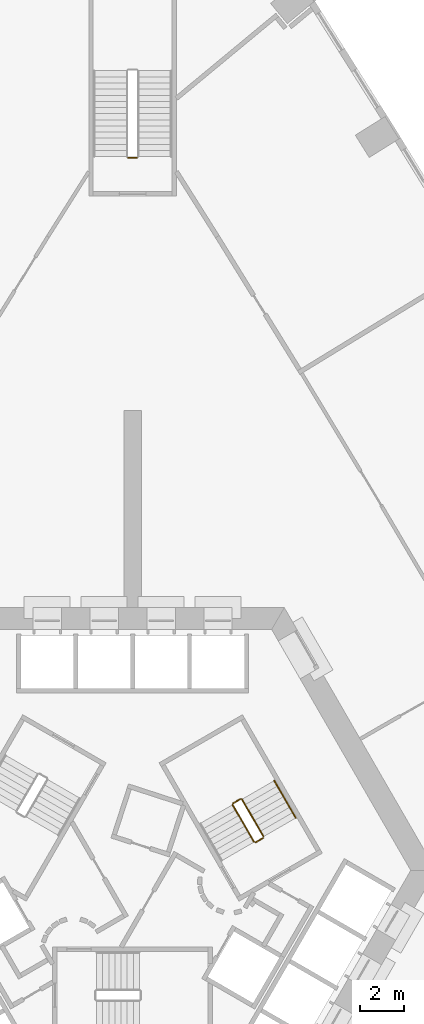
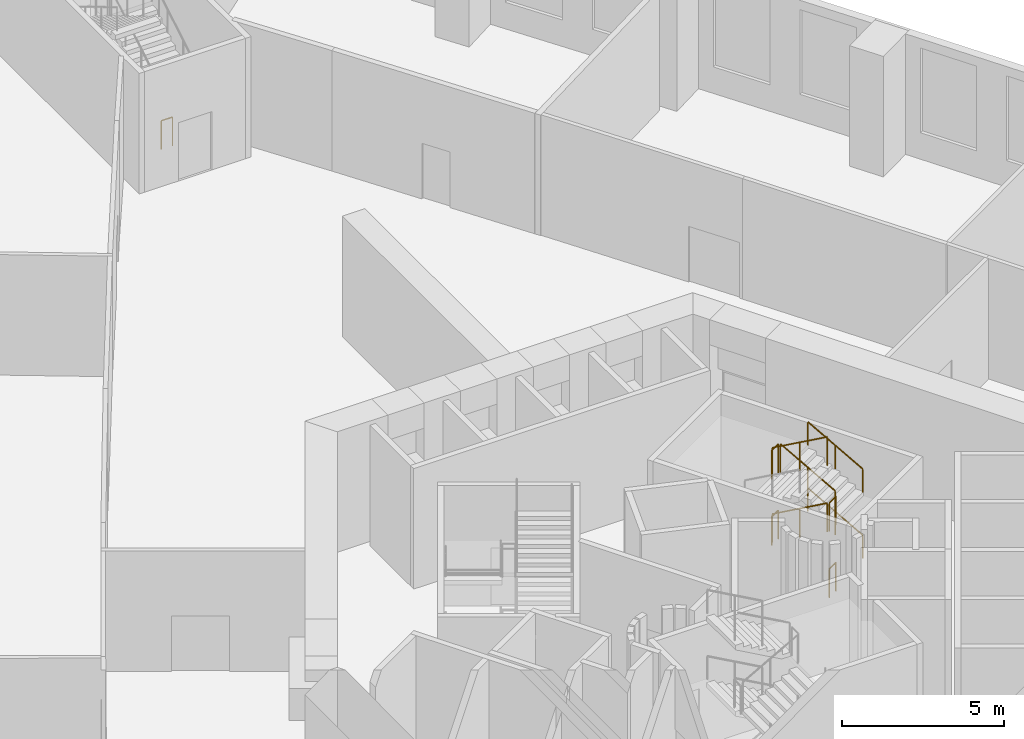
# One storey, part 14 of 16: 10 railings.
"""IFC4 building model written with IfcOpenShell, lengths in metres."""

import ifcopenshell
import ifcopenshell.guid

model = None  # the IFC model being written
_history = None  # IfcOwnerHistory: only IFC2X3 demands one
_inside = {}  # id of a spatial element -> (the spatial element, [elements in it])
_under = {}  # id of a project, library or spatial element -> (it, [spatial elements below it])
_declared = {}  # id of a project -> (the project, [libraries it declares])
_typed = {}  # id of a type object -> (the type object, [elements of that type])
_made_of = {}  # id of a material, layer set ... -> (it, [elements and type objects made of it])


def new_model(schema):
    """Start an empty IFC model of exactly this schema.

    Asked for "IFC4X3", IfcOpenShell would pick the latest addendum, in which some entities
    have other attributes; the version numbers below select the first issue.
    IFC2X3 requires an IfcOwnerHistory on every rooted entity: one is made here for all.
    """
    global model, _history
    if schema == "IFC4X3":
        model = ifcopenshell.file(schema_version=(4, 3, 0, 0))
    else:
        model = ifcopenshell.file(schema=schema)
    _inside.clear()
    _under.clear()
    _declared.clear()
    _typed.clear()
    _made_of.clear()
    _history = None
    if model.schema == "IFC2X3":
        org = make("IfcOrganization", Name="unknown")
        user = make(
            "IfcPersonAndOrganization",
            ThePerson=make("IfcPerson", FamilyName="unknown"),
            TheOrganization=org,
        )
        app = make(
            "IfcApplication",
            ApplicationDeveloper=org,
            Version="unknown",
            ApplicationFullName="unknown",
            ApplicationIdentifier="unknown",
        )
        _history = make(
            "IfcOwnerHistory",
            OwningUser=user,
            OwningApplication=app,
            ChangeAction="ADDED",
            CreationDate=0,
        )
    return model


def make(cls, **values):
    """One entity of the class cls with the attributes given. An attribute that is None is left unset."""
    return model.create_entity(
        cls, **{name: value for name, value in values.items() if value is not None}
    )


def rooted(cls, **values):
    """An entity with a GlobalId (a new one), such as an element, a storey or a relation."""
    return make(cls, GlobalId=ifcopenshell.guid.new(), OwnerHistory=_history, **values)


def si_unit(unit_type, name, prefix=None):
    """IfcSIUnit, for example si_unit("LENGTHUNIT", "METRE", prefix="MILLI")."""
    return make("IfcSIUnit", UnitType=unit_type, Prefix=prefix, Name=name)


def assignment(units):
    """IfcUnitAssignment: the units of a project."""
    return None if units is None else make("IfcUnitAssignment", Units=units)


def point(xyz):
    """IfcCartesianPoint."""
    return None if xyz is None else make("IfcCartesianPoint", Coordinates=xyz)


def direction(xyz):
    """IfcDirection."""
    return None if xyz is None else make("IfcDirection", DirectionRatios=xyz)


def frame(location, z_axis=None, x_axis=None):
    """IfcAxis2Placement3D, a coordinate frame: its origin and axes. An axis left out is left unset."""
    return make(
        "IfcAxis2Placement3D",
        Location=point(location),
        Axis=direction(z_axis),
        RefDirection=direction(x_axis),
    )


def frame_2d(location, x_axis=None):
    """IfcAxis2Placement2D, a coordinate frame in the plane: its origin and x axis."""
    return make(
        "IfcAxis2Placement2D", Location=point(location), RefDirection=direction(x_axis)
    )


def origin():
    """The frame at (0, 0, 0) with its axes left unset."""
    return frame((0.0, 0.0, 0.0))


def origin_2d():
    """The frame at (0, 0) in the plane with its x axis left unset."""
    return frame_2d((0.0, 0.0))


def place(relative_to, where):
    """IfcLocalPlacement: puts the frame where relative to a parent placement (None: the world)."""
    return make(
        "IfcLocalPlacement", PlacementRelTo=relative_to, RelativePlacement=where
    )


def context(
    kind, dimensions, precision=None, world=None, true_north=None, identifier=None
):
    """IfcGeometricRepresentationContext, for example the 3D "Model" context."""
    return make(
        "IfcGeometricRepresentationContext",
        ContextIdentifier=identifier,
        ContextType=kind,
        CoordinateSpaceDimension=dimensions,
        Precision=precision,
        WorldCoordinateSystem=world,
        TrueNorth=true_north,
    )


def subcontext(parent, identifier, kind, view, scale=None):
    """IfcGeometricRepresentationSubContext, for example "Body" below "Model"."""
    return make(
        "IfcGeometricRepresentationSubContext",
        ContextIdentifier=identifier,
        ContextType=kind,
        ParentContext=parent,
        TargetScale=scale,
        TargetView=view,
    )


def project(units=None, contexts=None):
    """IfcProject with its units and contexts."""
    return rooted(
        "IfcProject",
        Name="project",
        RepresentationContexts=contexts,
        UnitsInContext=assignment(units),
    )


def spatial(cls, under=None, at=None, **own):
    """A site, building, storey or space (cls), placed at a placement, below another one or the project."""
    s = rooted(cls, ObjectPlacement=at, **own)
    if under is not None:
        _under.setdefault(under.id(), (under, []))[1].append(s)
    return s


def profile(cls, at=None, kind="AREA", **sizes):
    """A parametric profile (cls). Its sizes go by their IFC names, for example OverallWidth=200.0."""
    return make(cls, ProfileType=kind, Position=at, **sizes)


def circle(**sizes):
    """IfcCircleProfileDef."""
    return profile("IfcCircleProfileDef", **sizes)


def extrude(swept, where, along, depth):
    """IfcExtrudedAreaSolid: the profile swept, set in the frame where, extruded along a direction by depth."""
    return make(
        "IfcExtrudedAreaSolid",
        SweptArea=swept,
        Position=where,
        ExtrudedDirection=direction(along),
        Depth=depth,
    )


def shape(context_of_items, identifier, shape_type, items):
    """IfcShapeRepresentation: the items that make up one representation, for example the "Body"."""
    return make(
        "IfcShapeRepresentation",
        ContextOfItems=context_of_items,
        RepresentationIdentifier=identifier,
        RepresentationType=shape_type,
        Items=items,
    )


def material(Name=None, Category=None):
    """IfcMaterial."""
    return make("IfcMaterial", Name=Name, Category=Category)


def made_of(thing, what):
    """Note that an element or type object is made of a material, layer set ...; save() writes the relation."""
    if what is not None:
        _made_of.setdefault(what.id(), (what, []))[1].append(thing)
    return thing


def type_object(cls, material=None, **own):
    """A type object (cls), such as IfcWallType, which elements share."""
    return made_of(rooted(cls, **own), material)


def element(
    cls,
    number,
    at=None,
    inside=None,
    cuts=None,
    type_object=None,
    material=None,
    context=None,
    identifier="Body",
    shape_type=None,
    held_by="IfcProductDefinitionShape",
    body=None,
    shapes=None,
    **own,
):
    """One element of the class cls, such as IfcWall. Its Tag is "e" and its number.

    at: its placement. inside: the storey or other place that contains it. cuts: it is an
    opening in that element (IfcRelVoidsElement). A single representation is given by context,
    identifier, shape_type and body (its items); several are given by shapes. held_by: the class
    of the entity that holds the representations. save() writes the other relations.
    """
    e = rooted(cls, Tag="e%d" % number, ObjectPlacement=at, **own)
    if body is not None:
        shapes = [shape(context, identifier, shape_type, body)]
    if shapes is not None:
        e.Representation = make(held_by, Representations=shapes)
    if inside is not None:
        _inside.setdefault(inside.id(), (inside, []))[1].append(e)
    if cuts is not None:
        rooted(
            "IfcRelVoidsElement", RelatingBuildingElement=cuts, RelatedOpeningElement=e
        )
    if type_object is not None:
        _typed.setdefault(type_object.id(), (type_object, []))[1].append(e)
    return made_of(e, material)


def aggregate(whole, parts):
    """IfcRelAggregates: a whole, such as a stair, and the parts it consists of."""
    return rooted("IfcRelAggregates", RelatingObject=whole, RelatedObjects=parts)


def save(model, path):
    """Write the relations noted so far, then the file.

    IfcRelAggregates (storeys below a building ...), IfcRelContainedInSpatialStructure (elements
    in a storey), IfcRelDefinesByType, IfcRelAssociatesMaterial and IfcRelDeclares: one each for
    every whole, place, type object, material and project.
    """
    for whole, parts in _under.values():
        aggregate(whole, parts)
    for where, things in _inside.values():
        rooted(
            "IfcRelContainedInSpatialStructure",
            RelatedElements=things,
            RelatingStructure=where,
        )
    for kind, things in _typed.values():
        rooted("IfcRelDefinesByType", RelatedObjects=things, RelatingType=kind)
    for what, things in _made_of.values():
        rooted("IfcRelAssociatesMaterial", RelatedObjects=things, RelatingMaterial=what)
    for by, libraries in _declared.values():
        rooted("IfcRelDeclares", RelatingContext=by, RelatedDefinitions=libraries)
    model.write(path)


model = new_model("IFC4")

# Units and contexts
model_context = context("Model", 3, precision=1e-05, world=origin(), true_north=direction((0.0, 1.0)))
body_context = subcontext(model_context, "Body", "Model", "MODEL_VIEW")
ifc_project = project(units=[si_unit("LENGTHUNIT", "METRE"), si_unit("AREAUNIT", "SQUARE_METRE"), si_unit("VOLUMEUNIT", "CUBIC_METRE"), si_unit("PLANEANGLEUNIT", "RADIAN"), si_unit("MASSUNIT", "GRAM", prefix="KILO")], contexts=[model_context])

# Site, building, storey
site_placement = place(None, origin())
site = spatial("IfcSite", under=ifc_project, at=site_placement, CompositionType="ELEMENT")
building_placement = place(site_placement, origin())
building = spatial("IfcBuilding", under=site, at=building_placement, Name="Entoto Arch Interchange Tower", CompositionType="ELEMENT")
storey_placement = place(building_placement, frame((0.0, 0.0, 15.0)))
storey = spatial("IfcBuildingStorey", under=building, at=storey_placement, Name="L02", CompositionType="ELEMENT", Elevation=15.0)

# Railings
ifc_material = material(Name="Stainless steel 1.4301", Category="steel")
railing_type_1 = type_object("IfcRailingType", Name="STAIR GUARD 1100 STEEL", PredefinedType="GUARDRAIL", material=ifc_material)
railing_1_placement = place(storey_placement, frame((4.929443359375, 5.76171875, 1.25)))
element("IfcRailing", 1, at=railing_1_placement, inside=storey, type_object=railing_type_1, Name="L02 ST-NE stair guard 2", PredefinedType="GUARDRAIL", context=body_context, shape_type="SweptSolid", body=[
    extrude(circle(Radius=0.02392578125, at=origin_2d()), frame((0.0, 0.0, 1.076171875), z_axis=(-0.865941482684, -0.500145327446, 0.0), x_axis=(0.500145327446, -0.865941482684, 0.0)), (0.0, 0.0, 1.0), 0.39990234375),
    extrude(circle(Radius=0.02099609375, at=origin_2d()), origin(), (0.0, 0.0, 1.0), 1.052001953125),
    extrude(circle(Radius=0.02099609375, at=origin_2d()), frame((-0.34619140625, -0.199951171875, 0.0)), (0.0, 0.0, 1.0), 1.052001953125),
])
railing_2_placement = place(storey_placement, frame((4.56494140625, 5.493408203125, 1.40625)))
element("IfcRailing", 2, at=railing_2_placement, inside=storey, type_object=railing_type_1, Name="L02 ST-NE stair guard 3", PredefinedType="GUARDRAIL", context=body_context, shape_type="SweptSolid", body=[
    extrude(circle(Radius=0.02392578125, at=origin_2d()), frame((0.0, 0.0, 1.076171875), z_axis=(0.436632306331, -0.756220177781, 0.487322554151), x_axis=(0.866011328839, 0.500024377727, 0.0)), (0.0, 0.0, 1.0), 2.244384765625),
    extrude(circle(Radius=0.02099609375, at=origin_2d()), origin(), (0.0, 0.0, 1.0), 1.052001953125),
    extrude(circle(Radius=0.02099609375, at=origin_2d()), frame((0.489990234375, -0.8486328125, 0.546875)), (0.0, 0.0, 1.0), 1.052001953125),
    extrude(circle(Radius=0.02099609375, at=origin_2d()), frame((0.97998046875, -1.697265625, 1.09375)), (0.0, 0.0, 1.0), 1.052001953125),
])
railing_3_placement = place(storey_placement, frame((5.95947265625, 3.977783203125, 2.5)))
element("IfcRailing", 3, at=railing_3_placement, inside=storey, type_object=railing_type_1, Name="L02 ST-NE stair guard 4", PredefinedType="GUARDRAIL", context=body_context, shape_type="SweptSolid", body=[
    extrude(circle(Radius=0.02392578125, at=origin_2d()), frame((0.0, 0.0, 1.076171875), z_axis=(-0.866094119867, -0.499880961361, 0.0), x_axis=(0.499880961361, -0.866094119867, 0.0)), (0.0, 0.0, 1.0), 0.39990234375),
    extrude(circle(Radius=0.02099609375, at=origin_2d()), origin(), (0.0, 0.0, 1.0), 1.052001953125),
    extrude(circle(Radius=0.02099609375, at=origin_2d()), frame((-0.346435546875, -0.199951171875, 0.0)), (0.0, 0.0, 1.0), 1.052001953125),
])
railing_4_placement = place(storey_placement, frame((5.977783203125, 4.046142578125, 2.65625)))
element("IfcRailing", 4, at=railing_4_placement, inside=storey, type_object=railing_type_1, Name="L02 ST-NE stair guard 5", PredefinedType="GUARDRAIL", context=body_context, shape_type="SweptSolid", body=[
    extrude(circle(Radius=0.02392578125, at=origin_2d()), frame((0.0, 0.0, 1.076171875), z_axis=(-0.436632306331, 0.756220177781, 0.487322554151), x_axis=(-0.866011328839, -0.500024377727, 0.0)), (0.0, 0.0, 1.0), 2.244384765625),
    extrude(circle(Radius=0.02099609375, at=origin_2d()), origin(), (0.0, 0.0, 1.0), 1.052001953125),
    extrude(circle(Radius=0.02099609375, at=origin_2d()), frame((-0.489990234375, 0.8486328125, 0.546875)), (0.0, 0.0, 1.0), 1.052001953125),
    extrude(circle(Radius=0.02099609375, at=origin_2d()), frame((-0.97998046875, 1.697265625, 1.09375)), (0.0, 0.0, 1.0), 1.052001953125),
])
railing_5_placement = place(storey_placement, frame((4.929443359375, 5.76171875, 3.75)))
element("IfcRailing", 5, at=railing_5_placement, inside=storey, type_object=railing_type_1, Name="L02 ST-NE stair guard 6", PredefinedType="GUARDRAIL", context=body_context, shape_type="SweptSolid", body=[
    extrude(circle(Radius=0.02392578125, at=origin_2d()), frame((0.0, 0.0, 1.076171875), z_axis=(-0.865941482684, -0.500145327446, 0.0), x_axis=(0.500145327446, -0.865941482684, 0.0)), (0.0, 0.0, 1.0), 0.39990234375),
    extrude(circle(Radius=0.02099609375, at=origin_2d()), origin(), (0.0, 0.0, 1.0), 1.052001953125),
    extrude(circle(Radius=0.02099609375, at=origin_2d()), frame((-0.34619140625, -0.199951171875, 0.0)), (0.0, 0.0, 1.0), 1.052001953125),
])
railing_6_placement = place(storey_placement, frame((4.56494140625, 5.493408203125, 3.90625)))
element("IfcRailing", 6, at=railing_6_placement, inside=storey, type_object=railing_type_1, Name="L02 ST-NE stair guard 7", PredefinedType="GUARDRAIL", context=body_context, shape_type="SweptSolid", body=[
    extrude(circle(Radius=0.02392578125, at=origin_2d()), frame((0.0, 0.0, 1.076171875), z_axis=(0.436632306331, -0.756220177781, 0.487322554151), x_axis=(0.866011328839, 0.500024377727, 0.0)), (0.0, 0.0, 1.0), 2.244384765625),
    extrude(circle(Radius=0.02099609375, at=origin_2d()), origin(), (0.0, 0.0, 1.0), 1.052001953125),
    extrude(circle(Radius=0.02099609375, at=origin_2d()), frame((0.489990234375, -0.8486328125, 0.546875)), (0.0, 0.0, 1.0), 1.052001953125),
    extrude(circle(Radius=0.02099609375, at=origin_2d()), frame((0.97998046875, -1.697265625, 1.09375)), (0.0, 0.0, 1.0), 1.052001953125),
])
railing_7_placement = place(storey_placement, frame((5.95947265625, 3.977783203125, 0.0)))
element("IfcRailing", 7, at=railing_7_placement, inside=storey, type_object=railing_type_1, Name="L02 ST-NE stair guard 8", PredefinedType="GUARDRAIL", context=body_context, shape_type="SweptSolid", body=[
    extrude(circle(Radius=0.02392578125, at=origin_2d()), frame((0.0, 0.0, 1.076171875), z_axis=(-0.866094119867, -0.499880961361, 0.0), x_axis=(0.499880961361, -0.866094119867, 0.0)), (0.0, 0.0, 1.0), 0.39990234375),
    extrude(circle(Radius=0.02099609375, at=origin_2d()), origin(), (0.0, 0.0, 1.0), 1.052001953125),
    extrude(circle(Radius=0.02099609375, at=origin_2d()), frame((-0.346435546875, -0.199951171875, 0.0)), (0.0, 0.0, 1.0), 1.052001953125),
])
railing_8_placement = place(storey_placement, frame((0.199951171875, 35.050048828125, 0.0)))
element("IfcRailing", 8, at=railing_8_placement, inside=storey, type_object=railing_type_1, Name="L02 PST-N stair guard 4", PredefinedType="GUARDRAIL", context=body_context, shape_type="SweptSolid", body=[
    extrude(circle(Radius=0.02392578125, at=origin_2d()), frame((0.0, 0.0, 1.076171875), z_axis=(-1.0, 0.0, 0.0), x_axis=(0.0, -1.0, 0.0)), (0.0, 0.0, 1.0), 0.39990234375),
    extrude(circle(Radius=0.02099609375, at=origin_2d()), origin(), (0.0, 0.0, 1.0), 1.052001953125),
    extrude(circle(Radius=0.02099609375, at=origin_2d()), frame((-0.39990234375, 0.0, 0.0)), (0.0, 0.0, 1.0), 1.052001953125),
])
railing_type_2 = type_object("IfcRailingType", Name="STAIR HANDRAIL 900 STEEL", PredefinedType="HANDRAIL", material=ifc_material)
for number, where, name in (
    (9, (7.4501953125, 4.89599609375, 0.15625), "L02 ST-NE stair handrail 1"),
    (10, (7.4501953125, 4.89599609375, 2.65625), "L02 ST-NE stair handrail 3"),
):
    element("IfcRailing", number, at=place(storey_placement, frame(where)), inside=storey, type_object=railing_type_2, Name=name, PredefinedType="HANDRAIL", context=body_context, shape_type="SweptSolid", body=[
        extrude(circle(Radius=0.02392578125, at=origin_2d()), frame((0.0, 0.0, 0.8759765625), z_axis=(-0.436596390967, 0.756266742998, 0.487282469241), x_axis=(-0.866042469362, -0.499970440388, 0.0)), (0.0, 0.0, 1.0), 2.24462890625),
        extrude(circle(Radius=0.02099609375, at=origin_2d()), origin(), (0.0, 0.0, 1.0), 0.851806640625),
        extrude(circle(Radius=0.02099609375, at=origin_2d()), frame((-0.489990234375, 0.8486328125, 0.546875)), (0.0, 0.0, 1.0), 0.851806640625),
        extrude(circle(Radius=0.02099609375, at=origin_2d()), frame((-0.97998046875, 1.697509765625, 1.09375)), (0.0, 0.0, 1.0), 0.851806640625),
    ])

save(model, "model.ifc")
